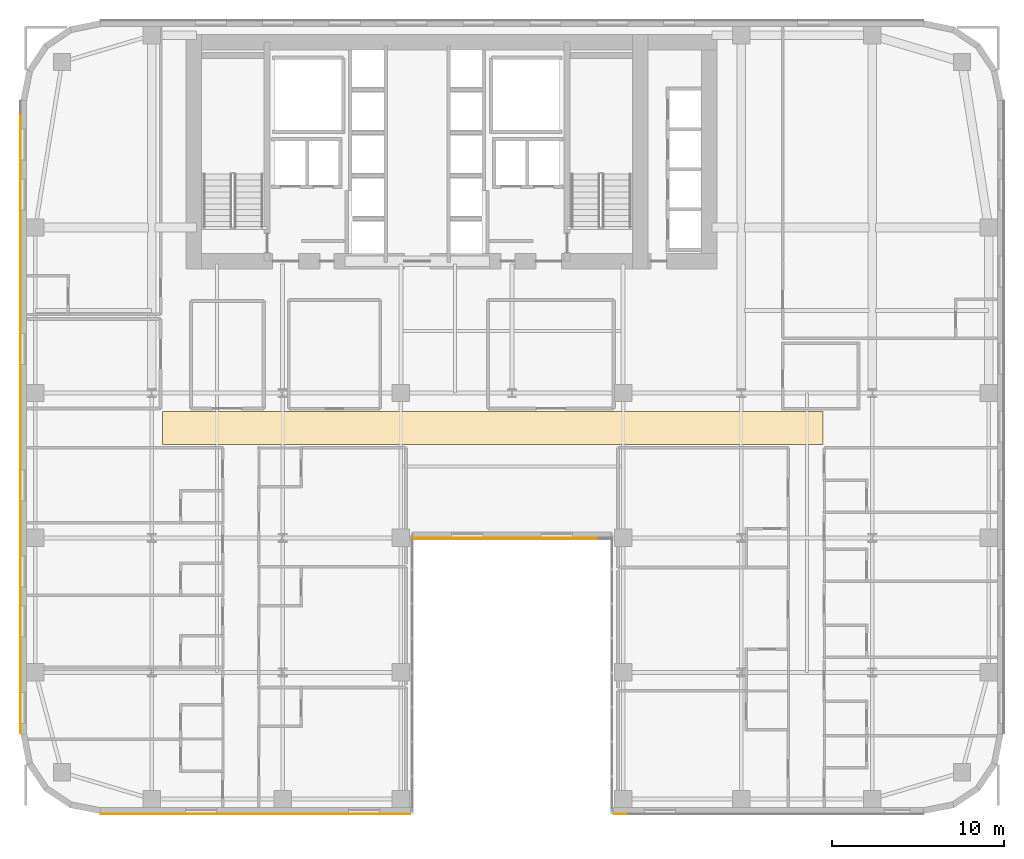
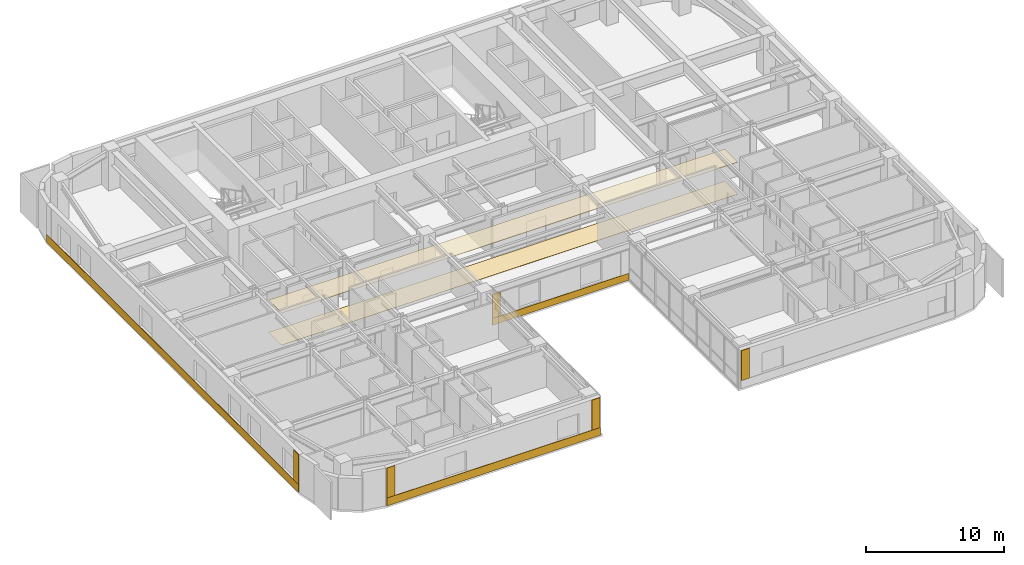
# One storey, part 21 of 25: 10 coverings.
"""IFC4 building model written with IfcOpenShell, lengths in metres."""

from ifc_helpers import new_model, si_unit, direction, frame, origin, place, context, subcontext, project, spatial, polyline, outline, extrude, material, layer, layer_set, type_object, element, save


model = new_model("IFC4")

# Units and contexts
model_context = context("Model", 3, precision=1e-05, world=origin(), true_north=direction((0.0, 1.0)))
body_context = subcontext(model_context, "Body", "Model", "MODEL_VIEW")
ifc_project = project(units=[si_unit("LENGTHUNIT", "METRE"), si_unit("AREAUNIT", "SQUARE_METRE"), si_unit("VOLUMEUNIT", "CUBIC_METRE"), si_unit("PLANEANGLEUNIT", "RADIAN"), si_unit("MASSUNIT", "GRAM", prefix="KILO")], contexts=[model_context])

# Site, building, storey
site_placement = place(None, origin())
site = spatial("IfcSite", under=ifc_project, at=site_placement, CompositionType="ELEMENT")
building_placement = place(site_placement, origin())
building = spatial("IfcBuilding", under=site, at=building_placement, Name="Tolvann Quenvar Hotel", CompositionType="ELEMENT")
storey_placement = place(building_placement, frame((0.0, 0.0, 39.10009765625)))
storey = spatial("IfcBuildingStorey", under=building, at=storey_placement, Name="L08", CompositionType="ELEMENT", Elevation=39.10009765625)

# Coverings
ifc_material_1 = material(Name="Micro-perforated acoustic mineral-fibre and timber-batten suspended ceiling", Category="wood")
ifc_layer_1 = layer(ifc_material_1, 0.0400390625)
ifc_layer_set_1 = layer_set([ifc_layer_1], Name="Micro-perforated acoustic mineral-fibre and timber-batten suspended ceiling")
covering_type_1 = type_object("IfcCoveringType", Name="COV_CEIL_ACOUSTIC_40", PredefinedType="CEILING", material=ifc_layer_set_1)
covering_1_placement = place(storey_placement, frame((0.0, 0.0, 2.829833984375)))
element("IfcCovering", 1, at=covering_1_placement, inside=storey, type_object=covering_type_1, Name="Suspended Acoustic Ceiling (Hotel Guest Corridor L08)", PredefinedType="CEILING", context=body_context, shape_type="SweptSolid", body=[
    extrude(outline(polyline([(8.219970703125, 21.419921875), (46.530029296875, 21.419921875), (46.530029296875, 23.330078125), (8.219970703125, 23.330078125), (8.219970703125, 21.419921875)])), origin(), (0.0, 0.0, 1.0), 0.0400390625),
])
ifc_material_2 = material(Name="Kiln-fired red architectural face brick cladding", Category="masonry")
ifc_layer_2 = layer(ifc_material_2, 0.0400390625)
ifc_layer_set_2 = layer_set([ifc_layer_2], Name="Kiln-fired red architectural face brick cladding")
covering_type_2 = type_object("IfcCoveringType", Name="COV_CLAD_BRICK_40", PredefinedType="CLADDING", material=ifc_layer_set_2)
covering_2_placement = place(storey_placement, frame((0.0, 0.0, 0.699951171875)))
element("IfcCovering", 2, at=covering_2_placement, inside=storey, type_object=covering_type_2, Name="Brick Pier Cladding (L08-E04-P1)", PredefinedType="CLADDING", context=body_context, shape_type="SweptSolid", body=[
    extrude(outline(polyline([(4.667236328125, 0.0), (5.3671875, 0.0), (5.3671875, -0.0400390625), (4.667236328125, -0.0400390625), (4.667236328125, 0.0)])), origin(), (0.0, 0.0, 1.0), 2.669921875),
])
covering_3_placement = place(storey_placement, frame((0.0, 0.0, 0.699951171875)))
element("IfcCovering", 3, at=covering_3_placement, inside=storey, type_object=covering_type_2, Name="Brick Pier Cladding (L08-E04-P2)", PredefinedType="CLADDING", context=body_context, shape_type="SweptSolid", body=[
    extrude(outline(polyline([(21.875, 0.0), (22.574951171875, 0.0), (22.574951171875, -0.0400390625), (21.875, -0.0400390625), (21.875, 0.0)])), origin(), (0.0, 0.0, 1.0), 2.669921875),
])
covering_4_placement = place(storey_placement, frame((0.0, 0.0, 0.6044921875)))
element("IfcCovering", 4, at=covering_4_placement, inside=storey, type_object=covering_type_2, Name="Brick Pier Cladding (L08-E06-P1)", PredefinedType="CLADDING", context=body_context, shape_type="SweptSolid", body=[
    extrude(outline(polyline([(22.760009765625, 16.0), (23.4599609375, 16.0), (23.4599609375, 15.9599609375), (22.760009765625, 15.9599609375), (22.760009765625, 16.0)])), origin(), (0.0, 0.0, 1.0), 2.143310546875),
])
covering_5_placement = place(storey_placement, frame((0.0, 0.0, 0.699951171875)))
element("IfcCovering", 5, at=covering_5_placement, inside=storey, type_object=covering_type_2, Name="Brick Pier Cladding (L08-E08-P1)", PredefinedType="CLADDING", context=body_context, shape_type="SweptSolid", body=[
    extrude(outline(polyline([(34.425048828125, 0.0), (35.125, 0.0), (35.125, -0.0400390625), (34.425048828125, -0.0400390625), (34.425048828125, 0.0)])), origin(), (0.0, 0.0, 1.0), 2.669921875),
])
covering_6_placement = place(storey_placement, frame((0.0, 0.0, 0.699951171875)))
element("IfcCovering", 6, at=covering_6_placement, inside=storey, type_object=covering_type_2, Name="Brick Pier Cladding (L08-E23-P2)", PredefinedType="CLADDING", context=body_context, shape_type="SweptSolid", body=[
    extrude(outline(polyline([(0.0, 5.3671875), (0.0, 4.667236328125), (-0.0400390625, 4.667236328125), (-0.0400390625, 5.3671875), (0.0, 5.3671875)])), origin(), (0.0, 0.0, 1.0), 2.669921875),
])
ifc_material_3 = material(Name="Moulded buff architectural terracotta spandrel cladding", Category="masonry")
ifc_layer_3 = layer(ifc_material_3, 0.0400390625)
ifc_layer_set_3 = layer_set([ifc_layer_3], Name="Moulded buff architectural terracotta spandrel cladding")
covering_type_3 = type_object("IfcCoveringType", Name="COV_CLAD_TERRA_40", PredefinedType="CLADDING", material=ifc_layer_set_3)
covering_7_placement = place(storey_placement, origin())
element("IfcCovering", 7, at=covering_7_placement, inside=storey, type_object=covering_type_3, Name="Terracotta Spandrel Cladding (L08-E04)", PredefinedType="CLADDING", context=body_context, shape_type="SweptSolid", body=[
    extrude(outline(polyline([(4.6572265625, 0.0), (22.5849609375, 0.0), (22.5849609375, -0.0400390625), (4.6572265625, -0.0400390625), (4.6572265625, 0.0)])), origin(), (0.0, 0.0, 1.0), 0.699951171875),
])
covering_8_placement = place(storey_placement, origin())
element("IfcCovering", 8, at=covering_8_placement, inside=storey, type_object=covering_type_3, Name="Terracotta Spandrel Cladding (L08-E06)", PredefinedType="CLADDING", context=body_context, shape_type="SweptSolid", body=[
    extrude(outline(polyline([(22.75, 16.0), (34.25, 16.0), (34.25, 15.9599609375), (22.75, 15.9599609375), (22.75, 16.0)])), origin(), (0.0, 0.0, 1.0), 0.6044921875),
])
covering_9_placement = place(storey_placement, origin())
element("IfcCovering", 9, at=covering_9_placement, inside=storey, type_object=covering_type_3, Name="Terracotta Spandrel Cladding (L08-E23)", PredefinedType="CLADDING", context=body_context, shape_type="SweptSolid", body=[
    extrude(outline(polyline([(0.0, 41.3427734375), (0.0, 4.6572265625), (-0.0400390625, 4.6572265625), (-0.0400390625, 41.3427734375), (0.0, 41.3427734375)])), origin(), (0.0, 0.0, 1.0), 0.699951171875),
])
ifc_material_4 = material(Name="Honed Australian bluestone, terrazzo and engineered oak flooring", Category="masonry")
ifc_layer_4 = layer(ifc_material_4, 0.02001953125)
ifc_layer_set_4 = layer_set([ifc_layer_4], Name="Honed Australian bluestone, terrazzo and engineered oak flooring")
covering_type_4 = type_object("IfcCoveringType", Name="COV_FLOOR_STONE_20", PredefinedType="FLOORING", material=ifc_layer_set_4)
covering_10_placement = place(storey_placement, origin())
element("IfcCovering", 10, at=covering_10_placement, inside=storey, type_object=covering_type_4, Name="Architectural Floor Finish (Hotel Guest Corridor L08)", PredefinedType="FLOORING", context=body_context, shape_type="SweptSolid", body=[
    extrude(outline(polyline([(8.219970703125, 21.419921875), (46.530029296875, 21.419921875), (46.530029296875, 23.330078125), (8.219970703125, 23.330078125), (8.219970703125, 21.419921875)])), origin(), (0.0, 0.0, 1.0), 0.02001953125),
])

save(model, "model.ifc")
